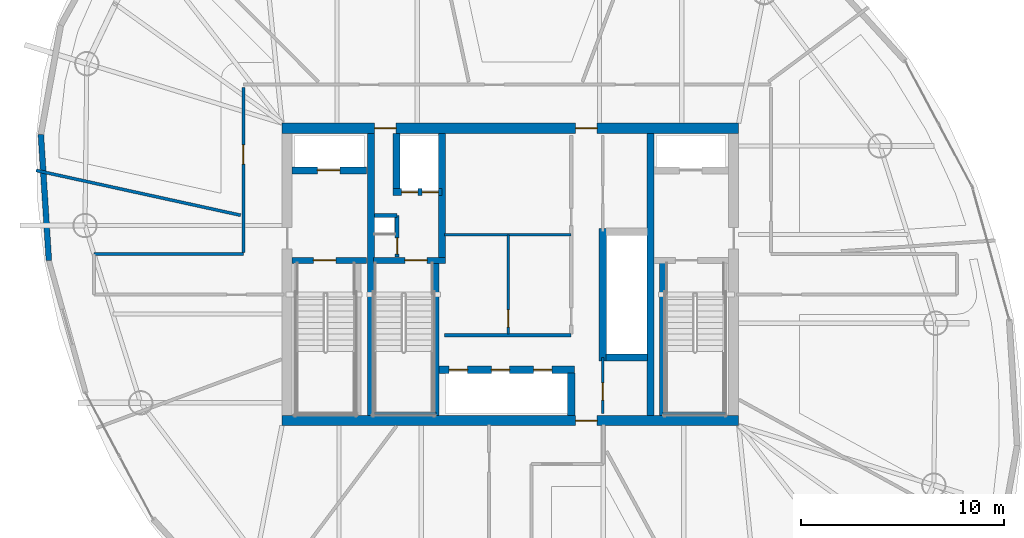
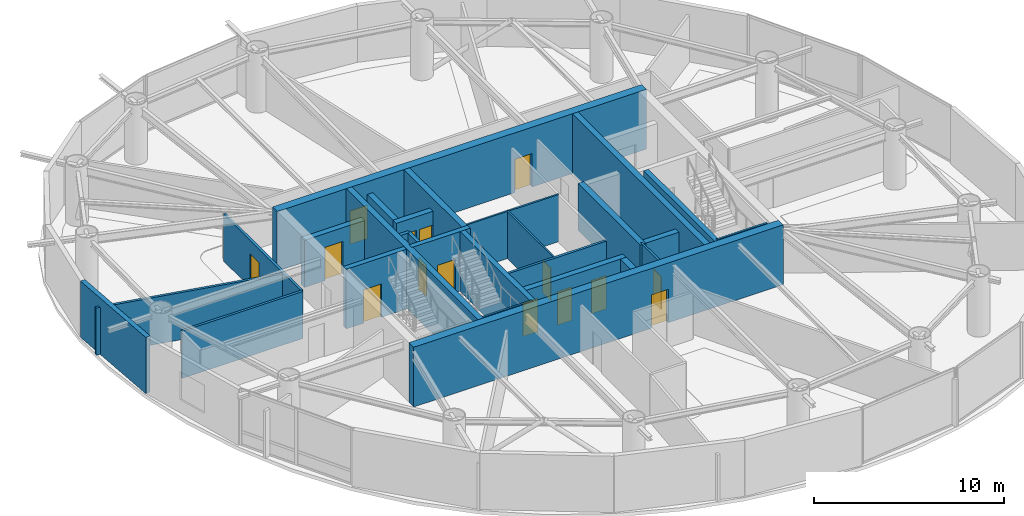
# One storey, part 17 of 22: 28 walls, 15 doors, 15 openings.
"""IFC4 building model written with IfcOpenShell, lengths in metres."""

from ifc_helpers import new_model, si_unit, direction, frame, frame_2d, origin, place, context, subcontext, project, spatial, rectangle, extrude, material, layer, layer_set, type_object, element, fill, save


model = new_model("IFC4")

# Units and contexts
model_context = context("Model", 3, precision=1e-05, world=origin(), true_north=direction((0.0, 1.0)))
body_context = subcontext(model_context, "Body", "Model", "MODEL_VIEW")
ifc_project = project(units=[si_unit("LENGTHUNIT", "METRE"), si_unit("AREAUNIT", "SQUARE_METRE"), si_unit("VOLUMEUNIT", "CUBIC_METRE"), si_unit("PLANEANGLEUNIT", "RADIAN"), si_unit("MASSUNIT", "GRAM", prefix="KILO")], contexts=[model_context])

# Site, building, storey
site_placement = place(None, origin())
site = spatial("IfcSite", under=ifc_project, at=site_placement, CompositionType="ELEMENT")
building_placement = place(site_placement, origin())
building = spatial("IfcBuilding", under=site, at=building_placement, Name="Bramvorn Convention Spire", CompositionType="ELEMENT")
storey_placement = place(building_placement, frame((0.0, 0.0, 190.449951171875)))
storey = spatial("IfcBuildingStorey", under=building, at=storey_placement, Name="L48", CompositionType="ELEMENT", Elevation=190.449951171875)

# Wall, opening, door
ifc_material_1 = material(Name="Concrete C50/60", Category="concrete")
ifc_layer_1 = layer(ifc_material_1, 0.5)
ifc_layer_set_1 = layer_set([ifc_layer_1], Name="Concrete C50/60 - WL-CORE-500")
wall_type_1 = type_object("IfcWallType", Name="WL-CORE-500", PredefinedType="SHEAR", material=ifc_layer_set_1)
wall_1_placement = place(storey_placement, frame((26.75, 18.800048828125, 0.0), z_axis=(0.0, 0.0, 1.0), x_axis=(1.0, 0.0, 0.0)))
wall_1 = element("IfcWall", 1, at=wall_1_placement, inside=storey, type_object=wall_type_1, Name="L48 South RC core shear wall", PredefinedType="SHEAR", context=body_context, shape_type="SweptSolid", body=[
    extrude(rectangle(XDim=22.5, YDim=0.5, at=frame_2d((11.25, 0.0))), origin(), (0.0, 0.0, 1.0), 3.85009765625),
])
opening_1_placement = place(wall_1_placement, frame((14.469970703125, 0.0, 0.0)))
opening_1 = element("IfcOpeningElement", 2, at=opening_1_placement, cuts=wall_1, Name="Opening DL-105", PredefinedType="OPENING", context=body_context, shape_type="SweptSolid", body=[
    extrude(rectangle(XDim=1.050048828125, YDim=2.14990234375, at=frame_2d((0.52490234375, 1.074951171875))), frame((0.0, 0.260009765625, 0.0), z_axis=(0.0, -1.0, 0.0), x_axis=(1.0, 0.0, 0.0)), (0.0, 0.0, 1.0), 0.52001953125),
])
ifc_material_2 = material(Name="Smoke-Sealed Fire Lobby Timber-Core Door", Category="wood")
door_type_1 = type_object("IfcDoorType", Name="DR-LOBBY-1050", OperationType="NOTDEFINED", PredefinedType="DOOR", material=ifc_material_2)
door_1_placement = place(opening_1_placement, origin())
door_1 = element("IfcDoor", 3, at=door_1_placement, inside=storey, type_object=door_type_1, Name="L48 South Lift Lobby fire door", OperationType="SINGLE_SWING_RIGHT", OverallHeight=2.14990234375, OverallWidth=1.050048828125, PredefinedType="DOOR", context=body_context, shape_type="SweptSolid", body=[
    extrude(rectangle(XDim=1.050048828125, YDim=2.14990234375, at=frame_2d((0.52490234375, 1.074951171875))), frame((0.0, 0.02490234375, 0.0), z_axis=(0.0, -1.0, 0.0), x_axis=(1.0, 0.0, 0.0)), (0.0, 0.0, 1.0), 0.050048828125),
])
fill(opening_1, door_1)

# Wall, openings, doors
wall_2_placement = place(storey_placement, frame((26.75, 33.199951171875, 0.0), z_axis=(0.0, 0.0, 1.0), x_axis=(1.0, 0.0, 0.0)))
wall_2 = element("IfcWall", 4, at=wall_2_placement, inside=storey, type_object=wall_type_1, Name="L48 North RC core shear wall", PredefinedType="SHEAR", context=body_context, shape_type="SweptSolid", body=[
    extrude(rectangle(XDim=22.5, YDim=0.5, at=frame_2d((11.25, 0.0))), origin(), (0.0, 0.0, 1.0), 3.85009765625),
])
opening_2_placement = place(wall_2_placement, frame((4.570068359375, 0.0, 0.0)))
opening_2 = element("IfcOpeningElement", 5, at=opening_2_placement, cuts=wall_2, Name="Opening DL-105", PredefinedType="OPENING", context=body_context, shape_type="SweptSolid", body=[
    extrude(rectangle(XDim=1.050048828125, YDim=2.14990234375, at=frame_2d((0.52490234375, 1.074951171875))), frame((0.0, 0.260009765625, 0.0), z_axis=(0.0, -1.0, 0.0), x_axis=(1.0, 0.0, 0.0)), (0.0, 0.0, 1.0), 0.52001953125),
])
opening_3_placement = place(wall_2_placement, frame((14.469970703125, 0.0, 0.0)))
opening_3 = element("IfcOpeningElement", 6, at=opening_3_placement, cuts=wall_2, Name="Opening DL-105", PredefinedType="OPENING", context=body_context, shape_type="SweptSolid", body=[
    extrude(rectangle(XDim=1.050048828125, YDim=2.14990234375, at=frame_2d((0.52490234375, 1.074951171875))), frame((0.0, 0.260009765625, 0.0), z_axis=(0.0, -1.0, 0.0), x_axis=(1.0, 0.0, 0.0)), (0.0, 0.0, 1.0), 0.52001953125),
])
door_2_placement = place(opening_2_placement, origin())
door_2 = element("IfcDoor", 7, at=door_2_placement, inside=storey, type_object=door_type_1, Name="L48 Service & Stair ST3 Lobby north corridor door", OperationType="SINGLE_SWING_LEFT", OverallHeight=2.14990234375, OverallWidth=1.050048828125, PredefinedType="DOOR", context=body_context, shape_type="SweptSolid", body=[
    extrude(rectangle(XDim=1.050048828125, YDim=2.14990234375, at=frame_2d((0.52490234375, 1.074951171875))), frame((0.0, 0.02490234375, 0.0), z_axis=(0.0, -1.0, 0.0), x_axis=(1.0, 0.0, 0.0)), (0.0, 0.0, 1.0), 0.050048828125),
])
fill(opening_2, door_2)
door_3_placement = place(opening_3_placement, origin())
door_3 = element("IfcDoor", 8, at=door_3_placement, inside=storey, type_object=door_type_1, Name="L48 North Lift Lobby fire door", OperationType="SINGLE_SWING_LEFT", OverallHeight=2.14990234375, OverallWidth=1.050048828125, PredefinedType="DOOR", context=body_context, shape_type="SweptSolid", body=[
    extrude(rectangle(XDim=1.050048828125, YDim=2.14990234375, at=frame_2d((0.52490234375, 1.074951171875))), frame((0.0, 0.02490234375, 0.0), z_axis=(0.0, -1.0, 0.0), x_axis=(1.0, 0.0, 0.0)), (0.0, 0.0, 1.0), 0.050048828125),
])
fill(opening_3, door_3)

# Walls
ifc_layer_2 = layer(ifc_material_1, 0.35009765625)
ifc_layer_set_2 = layer_set([ifc_layer_2], Name="Concrete C50/60 - WL-CORE-INT-350")
wall_type_2 = type_object("IfcWallType", Name="WL-CORE-INT-350", PredefinedType="SHEAR", material=ifc_layer_set_2)
for number, where, z_axis, x_axis, name in (
    (9, (31.1298828125, 19.050048828125, 0.0), (0.0, 0.0, 1.0), (0.0, 1.0, 0.0), "L48 West internal core shear web"),
    (10, (44.89990234375, 19.050048828125, 0.0), (0.0, 0.0, 1.0), (0.0, 1.0, 0.0), "L48 East internal core shear web"),
):
    element("IfcWall", number, at=place(storey_placement, frame(where, z_axis=z_axis, x_axis=x_axis)), inside=storey, type_object=wall_type_2, Name=name, PredefinedType="SHEAR", context=body_context, shape_type="SweptSolid", body=[
        extrude(rectangle(XDim=13.89990234375, YDim=0.35009765625, at=frame_2d((6.949951171875, 0.0))), origin(), (0.0, 0.0, 1.0), 3.85009765625),
    ])

# Wall, opening, door
wall_3_placement = place(storey_placement, frame((27.25, 31.1201171875, 0.0), z_axis=(0.0, 0.0, 1.0), x_axis=(1.0, 0.0, 0.0)))
wall_3 = element("IfcWall", 11, at=wall_3_placement, inside=storey, type_object=wall_type_2, Name="L48 FE1 shaft front wall", PredefinedType="SHEAR", context=body_context, shape_type="SweptSolid", body=[
    extrude(rectangle(XDim=3.669921875, YDim=0.35009765625, at=frame_2d((1.8349609375, 0.0))), origin(), (0.0, 0.0, 1.0), 3.03515625),
])
opening_4_placement = place(wall_3_placement, frame((1.25, 0.0, 0.0)))
opening_4 = element("IfcOpeningElement", 12, at=opening_4_placement, cuts=wall_3, Name="Opening LD-110", PredefinedType="OPENING", context=body_context, shape_type="SweptSolid", body=[
    extrude(rectangle(XDim=1.10009765625, YDim=2.14990234375, at=frame_2d((0.550048828125, 1.074951171875))), frame((0.0, 0.18505859375, 0.0), z_axis=(0.0, -1.0, 0.0), x_axis=(1.0, 0.0, 0.0)), (0.0, 0.0, 1.0), 0.3701171875),
])
ifc_material_3 = material(Name="Firefighting & Service Lift Sliding Landing Door", Category="steel")
door_type_2 = type_object("IfcDoorType", Name="DR-LIFT-LD-1100", OperationType="NOTDEFINED", PredefinedType="DOOR", material=ifc_material_3)
door_4_placement = place(opening_4_placement, origin())
door_4 = element("IfcDoor", 13, at=door_4_placement, inside=storey, type_object=door_type_2, Name="L48 Lift FE1 Sliding Landing Door", OperationType="SLIDING_TO_LEFT", OverallHeight=2.14990234375, OverallWidth=1.10009765625, PredefinedType="DOOR", context=body_context, shape_type="SweptSolid", body=[
    extrude(rectangle(XDim=1.10009765625, YDim=2.14990234375, at=frame_2d((0.550048828125, 1.074951171875))), frame((0.0, 0.02490234375, 0.0), z_axis=(0.0, -1.0, 0.0), x_axis=(1.0, 0.0, 0.0)), (0.0, 0.0, 1.0), 0.050048828125),
])
fill(opening_4, door_4)

# Wall
wall_4_placement = place(storey_placement, frame((34.639892578125, 26.68994140625, 0.0), z_axis=(0.0, 0.0, 1.0), x_axis=(0.0, 1.0, 0.0)))
element("IfcWall", 14, at=wall_4_placement, inside=storey, type_object=wall_type_2, Name="L48 SV east core shaft wall", PredefinedType="SHEAR", context=body_context, shape_type="SweptSolid", body=[
    extrude(rectangle(XDim=6.260009765625, YDim=0.35009765625, at=frame_2d((3.1298828125, 0.0))), origin(), (0.0, 0.0, 1.0), 3.85009765625),
])

# Wall, openings, doors
wall_5_placement = place(storey_placement, frame((32.22998046875, 30.050048828125, 0.0), z_axis=(0.0, 0.0, 1.0), x_axis=(1.0, 0.0, 0.0)))
wall_5 = element("IfcWall", 15, at=wall_5_placement, inside=storey, type_object=wall_type_2, Name="L48 SV1/SV2 shaft front wall", PredefinedType="SHEAR", context=body_context, shape_type="SweptSolid", body=[
    extrude(rectangle(XDim=2.409912109375, YDim=0.35009765625, at=frame_2d((1.205078125, 0.0))), origin(), (0.0, 0.0, 1.0), 3.03515625),
])
opening_5_placement = place(wall_5_placement, frame((0.419921875, 0.0, 0.0)))
opening_5 = element("IfcOpeningElement", 16, at=opening_5_placement, cuts=wall_5, Name="Opening LD-080", PredefinedType="OPENING", context=body_context, shape_type="SweptSolid", body=[
    extrude(rectangle(XDim=0.800048828125, YDim=2.14990234375, at=frame_2d((0.39990234375, 1.074951171875))), frame((0.0, 0.18505859375, 0.0), z_axis=(0.0, -1.0, 0.0), x_axis=(1.0, 0.0, 0.0)), (0.0, 0.0, 1.0), 0.3701171875),
])
opening_6_placement = place(wall_5_placement, frame((1.419921875, 0.0, 0.0)))
opening_6 = element("IfcOpeningElement", 17, at=opening_6_placement, cuts=wall_5, Name="Opening LD-080", PredefinedType="OPENING", context=body_context, shape_type="SweptSolid", body=[
    extrude(rectangle(XDim=0.800048828125, YDim=2.14990234375, at=frame_2d((0.39990234375, 1.074951171875))), frame((0.0, 0.18505859375, 0.0), z_axis=(0.0, -1.0, 0.0), x_axis=(1.0, 0.0, 0.0)), (0.0, 0.0, 1.0), 0.3701171875),
])
ifc_material_4 = material(Name="Service Lift Bi-Parting Landing Door", Category="steel")
door_type_3 = type_object("IfcDoorType", Name="DR-LIFT-LD-800", OperationType="NOTDEFINED", PredefinedType="DOOR", material=ifc_material_4)
door_5_placement = place(opening_5_placement, origin())
door_5 = element("IfcDoor", 18, at=door_5_placement, inside=storey, type_object=door_type_3, Name="L48 Lift SV1 Sliding Landing Door", OperationType="SLIDING_TO_LEFT", OverallHeight=2.14990234375, OverallWidth=0.800048828125, PredefinedType="DOOR", context=body_context, shape_type="SweptSolid", body=[
    extrude(rectangle(XDim=0.800048828125, YDim=2.14990234375, at=frame_2d((0.39990234375, 1.074951171875))), frame((0.0, 0.02490234375, 0.0), z_axis=(0.0, -1.0, 0.0), x_axis=(1.0, 0.0, 0.0)), (0.0, 0.0, 1.0), 0.050048828125),
])
fill(opening_5, door_5)
door_6_placement = place(opening_6_placement, origin())
door_6 = element("IfcDoor", 19, at=door_6_placement, inside=storey, type_object=door_type_3, Name="L48 Lift SV2 Sliding Landing Door", OperationType="SLIDING_TO_LEFT", OverallHeight=2.14990234375, OverallWidth=0.800048828125, PredefinedType="DOOR", context=body_context, shape_type="SweptSolid", body=[
    extrude(rectangle(XDim=0.800048828125, YDim=2.14990234375, at=frame_2d((0.39990234375, 1.074951171875))), frame((0.0, 0.02490234375, 0.0), z_axis=(0.0, -1.0, 0.0), x_axis=(1.0, 0.0, 0.0)), (0.0, 0.0, 1.0), 0.050048828125),
])
fill(opening_6, door_6)

# Walls
wall_6_placement = place(storey_placement, frame((32.39990234375, 30.219970703125, 0.0), z_axis=(0.0, 0.0, 1.0), x_axis=(0.0, 1.0, 0.0)))
element("IfcWall", 20, at=wall_6_placement, inside=storey, type_object=wall_type_2, Name="L48 SV1 west hoistway wall", PredefinedType="SHEAR", context=body_context, shape_type="SweptSolid", body=[
    extrude(rectangle(XDim=2.72998046875, YDim=0.35009765625, at=frame_2d((1.364990234375, 0.0))), origin(), (0.0, 0.0, 1.0), 3.03515625),
])
wall_7_placement = place(storey_placement, frame((42.550048828125, 21.72998046875, 0.0), z_axis=(0.0, 0.0, 1.0), x_axis=(0.0, 1.0, 0.0)))
element("IfcWall", 21, at=wall_7_placement, inside=storey, type_object=wall_type_2, Name="L48 High-rise lift bank west wall", PredefinedType="SHEAR", context=body_context, shape_type="SweptSolid", body=[
    extrude(rectangle(XDim=6.5400390625, YDim=0.35009765625, at=frame_2d((3.27001953125, 0.0))), origin(), (0.0, 0.0, 1.0), 3.03515625),
])
wall_8_placement = place(storey_placement, frame((42.719970703125, 21.89990234375, 0.0), z_axis=(0.0, 0.0, 1.0), x_axis=(1.0, 0.0, 0.0)))
element("IfcWall", 22, at=wall_8_placement, inside=storey, type_object=wall_type_2, Name="L48 High-rise lift bank south wall", PredefinedType="SHEAR", context=body_context, shape_type="SweptSolid", body=[
    extrude(rectangle(XDim=2.030029296875, YDim=0.35009765625, at=frame_2d((1.01513671875, 0.0))), origin(), (0.0, 0.0, 1.0), 3.03515625),
])

# Wall, openings, doors
wall_9_placement = place(storey_placement, frame((34.489990234375, 21.300048828125, 0.0), z_axis=(0.0, 0.0, 1.0), x_axis=(1.0, 0.0, 0.0)))
wall_9 = element("IfcWall", 23, at=wall_9_placement, inside=storey, type_object=wall_type_2, Name="L48 Mid-rise bank north landing wall", PredefinedType="SHEAR", context=body_context, shape_type="SweptSolid", body=[
    extrude(rectangle(XDim=6.679931640625, YDim=0.35009765625, at=frame_2d((3.33984375, 0.0))), origin(), (0.0, 0.0, 1.0), 3.03515625),
])
opening_7_placement = place(wall_9_placement, frame((0.5, 0.0, 0.0)))
opening_7 = element("IfcOpeningElement", 24, at=opening_7_placement, cuts=wall_9, Name="Opening LD-090", PredefinedType="OPENING", context=body_context, shape_type="SweptSolid", body=[
    extrude(rectangle(XDim=0.89990234375, YDim=2.14990234375, at=frame_2d((0.449951171875, 1.074951171875))), frame((0.0, 0.18505859375, 0.0), z_axis=(0.0, -1.0, 0.0), x_axis=(1.0, 0.0, 0.0)), (0.0, 0.0, 1.0), 0.3701171875),
])
opening_8_placement = place(wall_9_placement, frame((2.580078125, 0.0, 0.0)))
opening_8 = element("IfcOpeningElement", 25, at=opening_8_placement, cuts=wall_9, Name="Opening LD-090", PredefinedType="OPENING", context=body_context, shape_type="SweptSolid", body=[
    extrude(rectangle(XDim=0.89990234375, YDim=2.14990234375, at=frame_2d((0.449951171875, 1.074951171875))), frame((0.0, 0.18505859375, 0.0), z_axis=(0.0, -1.0, 0.0), x_axis=(1.0, 0.0, 0.0)), (0.0, 0.0, 1.0), 0.3701171875),
])
opening_9_placement = place(wall_9_placement, frame((4.659912109375, 0.0, 0.0)))
opening_9 = element("IfcOpeningElement", 26, at=opening_9_placement, cuts=wall_9, Name="Opening LD-090", PredefinedType="OPENING", context=body_context, shape_type="SweptSolid", body=[
    extrude(rectangle(XDim=0.89990234375, YDim=2.14990234375, at=frame_2d((0.449951171875, 1.074951171875))), frame((0.0, 0.18505859375, 0.0), z_axis=(0.0, -1.0, 0.0), x_axis=(1.0, 0.0, 0.0)), (0.0, 0.0, 1.0), 0.3701171875),
])
ifc_material_5 = material(Name="Bi-Parting Fire-Rated Lift Landing Door", Category="steel")
door_type_4 = type_object("IfcDoorType", Name="DR-LIFT-LD-900", OperationType="NOTDEFINED", PredefinedType="DOOR", material=ifc_material_5)
door_7_placement = place(opening_7_placement, origin())
door_7 = element("IfcDoor", 27, at=door_7_placement, inside=storey, type_object=door_type_4, Name="L48 Lift PM1 Sliding Landing Door", OperationType="SLIDING_TO_LEFT", OverallHeight=2.14990234375, OverallWidth=0.89990234375, PredefinedType="DOOR", context=body_context, shape_type="SweptSolid", body=[
    extrude(rectangle(XDim=0.89990234375, YDim=2.14990234375, at=frame_2d((0.449951171875, 1.074951171875))), frame((0.0, 0.02490234375, 0.0), z_axis=(0.0, -1.0, 0.0), x_axis=(1.0, 0.0, 0.0)), (0.0, 0.0, 1.0), 0.050048828125),
])
fill(opening_7, door_7)
door_8_placement = place(opening_8_placement, origin())
door_8 = element("IfcDoor", 28, at=door_8_placement, inside=storey, type_object=door_type_4, Name="L48 Lift PM2 Sliding Landing Door", OperationType="SLIDING_TO_LEFT", OverallHeight=2.14990234375, OverallWidth=0.89990234375, PredefinedType="DOOR", context=body_context, shape_type="SweptSolid", body=[
    extrude(rectangle(XDim=0.89990234375, YDim=2.14990234375, at=frame_2d((0.449951171875, 1.074951171875))), frame((0.0, 0.02490234375, 0.0), z_axis=(0.0, -1.0, 0.0), x_axis=(1.0, 0.0, 0.0)), (0.0, 0.0, 1.0), 0.050048828125),
])
fill(opening_8, door_8)
door_9_placement = place(opening_9_placement, origin())
door_9 = element("IfcDoor", 29, at=door_9_placement, inside=storey, type_object=door_type_4, Name="L48 Lift PM3 Sliding Landing Door", OperationType="SLIDING_TO_LEFT", OverallHeight=2.14990234375, OverallWidth=0.89990234375, PredefinedType="DOOR", context=body_context, shape_type="SweptSolid", body=[
    extrude(rectangle(XDim=0.89990234375, YDim=2.14990234375, at=frame_2d((0.449951171875, 1.074951171875))), frame((0.0, 0.02490234375, 0.0), z_axis=(0.0, -1.0, 0.0), x_axis=(1.0, 0.0, 0.0)), (0.0, 0.0, 1.0), 0.050048828125),
])
fill(opening_9, door_9)

# Walls
wall_10_placement = place(storey_placement, frame((41.0, 19.050048828125, 0.0), z_axis=(0.0, 0.0, 1.0), x_axis=(0.0, 1.0, 0.0)))
element("IfcWall", 30, at=wall_10_placement, inside=storey, type_object=wall_type_2, Name="L48 Mid-rise bank east cheek wall", PredefinedType="SHEAR", context=body_context, shape_type="SweptSolid", body=[
    extrude(rectangle(XDim=2.079833984375, YDim=0.35009765625, at=frame_2d((1.0400390625, 0.0))), origin(), (0.0, 0.0, 1.0), 3.03515625),
])
ifc_material_6 = material(Name="Precast Concrete C40/50 with Bronze Terracotta Rainscreen", Category="masonry")
ifc_layer_3 = layer(ifc_material_6, 0.300048828125)
ifc_layer_set_3 = layer_set([ifc_layer_3], Name="Precast Concrete C40/50 with Bronze Terracotta Rainscreen - WL-EXT-BRONZE-300")
wall_type_3 = type_object("IfcWallType", Name="WL-EXT-BRONZE-300", PredefinedType="SOLIDWALL", material=ifc_layer_set_3)
wall_11_placement = place(storey_placement, frame((15.267822265625, 26.683349609375, 0.0), z_axis=(0.0, 0.0, 1.0), x_axis=(-0.063166731374, 0.998002987995, 0.0)))
element("IfcWall", 31, at=wall_11_placement, inside=storey, type_object=wall_type_3, Name="L48 expressed bronze Gothic lancet pier wall 15", PredefinedType="SOLIDWALL", context=body_context, shape_type="SweptSolid", body=[
    extrude(rectangle(XDim=6.2265625, YDim=0.280029296875, at=frame_2d((3.11328125, 0.0))), origin(), (0.0, 0.0, 1.0), 3.6201171875),
])
ifc_material_7 = material(Name="Lightweight En-Suite & Wet-Wall Partition", Category="gypsum")
ifc_layer_4 = layer(ifc_material_7, 0.110107421875)
ifc_layer_set_4 = layer_set([ifc_layer_4], Name="Lightweight En-Suite & Wet-Wall Partition - WL-PART-110")
wall_type_4 = type_object("IfcWallType", Name="WL-PART-110", PredefinedType="PARTITIONING", material=ifc_layer_set_4)
wall_12_placement = place(storey_placement, frame((34.75, 27.949951171875, 0.0), z_axis=(0.0, 0.0, 1.0), x_axis=(1.0, 0.0, 0.0)))
element("IfcWall", 32, at=wall_12_placement, inside=storey, type_object=wall_type_4, Name="L48 KA horizontal core divider", PredefinedType="PARTITIONING", context=body_context, shape_type="SweptSolid", body=[
    extrude(rectangle(XDim=6.25, YDim=0.110107421875, at=frame_2d((3.125, 0.0))), origin(), (0.0, 0.0, 1.0), 3.03515625),
])

# Wall, opening, door
wall_13_placement = place(storey_placement, frame((37.89990234375, 23.050048828125, 0.0), z_axis=(0.0, 0.0, 1.0), x_axis=(0.0, 1.0, 0.0)))
wall_13 = element("IfcWall", 33, at=wall_13_placement, inside=storey, type_object=wall_type_4, Name="L48 KA restroom subwall", PredefinedType="PARTITIONING", context=body_context, shape_type="SweptSolid", body=[
    extrude(rectangle(XDim=4.89990234375, YDim=0.110107421875, at=frame_2d((2.449951171875, 0.0))), origin(), (0.0, 0.0, 1.0), 3.03515625),
])
opening_10_placement = place(wall_13_placement, frame((0.35009765625, 0.0, 0.0)))
opening_10 = element("IfcOpeningElement", 34, at=opening_10_placement, cuts=wall_13, Name="Opening DC-085", PredefinedType="OPENING", context=body_context, shape_type="SweptSolid", body=[
    extrude(rectangle(XDim=0.85009765625, YDim=2.10009765625, at=frame_2d((0.425048828125, 1.050048828125))), frame((0.0, 0.06494140625, 0.0), z_axis=(0.0, -1.0, 0.0), x_axis=(1.0, 0.0, 0.0)), (0.0, 0.0, 1.0), 0.130126953125),
])
ifc_material_8 = material(Name="Fire-Rated Core Washroom & IDF Door", Category="wood")
door_type_5 = type_object("IfcDoorType", Name="DR-CORE-850", OperationType="NOTDEFINED", PredefinedType="DOOR", material=ifc_material_8)
door_10_placement = place(opening_10_placement, origin())
door_10 = element("IfcDoor", 35, at=door_10_placement, inside=storey, type_object=door_type_5, Name="L48 Core IT Closet door", OperationType="SINGLE_SWING_LEFT", OverallHeight=2.10009765625, OverallWidth=0.85009765625, PredefinedType="DOOR", context=body_context, shape_type="SweptSolid", body=[
    extrude(rectangle(XDim=0.85009765625, YDim=2.10009765625, at=frame_2d((0.425048828125, 1.050048828125))), frame((0.0, 0.02490234375, 0.0), z_axis=(0.0, -1.0, 0.0), x_axis=(1.0, 0.0, 0.0)), (0.0, 0.0, 1.0), 0.050048828125),
])
fill(opening_10, door_10)

ifc_material_9 = material(Name="Metal-Stud Demountable Office Partition", Category="gypsum")
ifc_layer_5 = layer(ifc_material_9, 0.1298828125)
ifc_layer_set_5 = layer_set([ifc_layer_5], Name="Metal-Stud Demountable Office Partition - WL-PART-130")
wall_type_5 = type_object("IfcWallType", Name="WL-PART-130", PredefinedType="PARTITIONING", material=ifc_layer_set_5)
wall_14_placement = place(storey_placement, frame((42.550048828125, 19.14990234375, 0.0), z_axis=(0.0, 0.0, 1.0), x_axis=(0.0, 1.0, 0.0)))
wall_14 = element("IfcWall", 36, at=wall_14_placement, inside=storey, type_object=wall_type_5, Name="L48 KA SE store wall", PredefinedType="PARTITIONING", context=body_context, shape_type="SweptSolid", body=[
    extrude(rectangle(XDim=2.75, YDim=0.1298828125, at=frame_2d((1.375, 0.0))), origin(), (0.0, 0.0, 1.0), 3.03515625),
])
opening_11_placement = place(wall_14_placement, frame((0.64990234375, 0.0, 0.0)))
opening_11 = element("IfcOpeningElement", 37, at=opening_11_placement, cuts=wall_14, Name="Opening DC-085", PredefinedType="OPENING", context=body_context, shape_type="SweptSolid", body=[
    extrude(rectangle(XDim=0.85009765625, YDim=2.10009765625, at=frame_2d((0.425048828125, 1.050048828125))), frame((0.0, 0.074951171875, 0.0), z_axis=(0.0, -1.0, 0.0), x_axis=(1.0, 0.0, 0.0)), (0.0, 0.0, 1.0), 0.14990234375),
])
door_11_placement = place(opening_11_placement, origin())
door_11 = element("IfcDoor", 38, at=door_11_placement, inside=storey, type_object=door_type_5, Name="L48 Tenant Pantry & Copy Centre door", OperationType="SINGLE_SWING_LEFT", OverallHeight=2.10009765625, OverallWidth=0.85009765625, PredefinedType="DOOR", context=body_context, shape_type="SweptSolid", body=[
    extrude(rectangle(XDim=0.85009765625, YDim=2.10009765625, at=frame_2d((0.425048828125, 1.050048828125))), frame((0.0, 0.02490234375, 0.0), z_axis=(0.0, -1.0, 0.0), x_axis=(1.0, 0.0, 0.0)), (0.0, 0.0, 1.0), 0.050048828125),
])
fill(opening_11, door_11)

# Wall
ifc_material_10 = material(Name="Acoustic Metal-Stud Tenant/Corridor Partition", Category="gypsum")
ifc_layer_6 = layer(ifc_material_10, 0.14990234375)
ifc_layer_set_6 = layer_set([ifc_layer_6], Name="Acoustic Metal-Stud Tenant/Corridor Partition - WL-PART-150")
wall_type_6 = type_object("IfcWallType", Name="WL-PART-150", PredefinedType="PARTITIONING", material=ifc_layer_set_6)
wall_15_placement = place(storey_placement, frame((34.75, 23.0, 0.0), z_axis=(0.0, 0.0, 1.0), x_axis=(1.0, 0.0, 0.0)))
element("IfcWall", 39, at=wall_15_placement, inside=storey, type_object=wall_type_6, Name="L48 Mid-rise lift vestibule north wall", PredefinedType="PARTITIONING", context=body_context, shape_type="SweptSolid", body=[
    extrude(rectangle(XDim=6.25, YDim=0.14990234375, at=frame_2d((3.125, 0.0))), origin(), (0.0, 0.0, 1.0), 3.03515625),
])

# Wall, opening, door
wall_16_placement = place(storey_placement, frame((24.85009765625, 27.080078125, 0.0), z_axis=(0.0, 0.0, 1.0), x_axis=(0.0, 1.0, 0.0)))
wall_16 = element("IfcWall", 40, at=wall_16_placement, inside=storey, type_object=wall_type_6, Name="L48 NW gallery cheek", PredefinedType="PARTITIONING", context=body_context, shape_type="SweptSolid", body=[
    extrude(rectangle(XDim=8.119873046875, YDim=0.14990234375, at=frame_2d((4.06005859375, 0.0))), origin(), (0.0, 0.0, 1.0), 3.03515625),
])
opening_12_placement = place(wall_16_placement, frame((4.35107421875, 0.0, 0.0)))
opening_12 = element("IfcOpeningElement", 41, at=opening_12_placement, cuts=wall_16, Name="Opening DH-095", PredefinedType="OPENING", context=body_context, shape_type="SweptSolid", body=[
    extrude(rectangle(XDim=0.949951171875, YDim=2.14990234375, at=frame_2d((0.47509765625, 1.074951171875))), frame((0.0, 0.0849609375, 0.0), z_axis=(0.0, -1.0, 0.0), x_axis=(1.0, 0.0, 0.0)), (0.0, 0.0, 1.0), 0.169921875),
])
ifc_material_11 = material(Name="Solid-Core Acoustic Guestroom Entry Door", Category="wood")
door_type_6 = type_object("IfcDoorType", Name="DR-HOTEL-950", OperationType="NOTDEFINED", PredefinedType="DOOR", material=ifc_material_11)
door_12_placement = place(opening_12_placement, origin())
door_12 = element("IfcDoor", 42, at=door_12_placement, inside=storey, type_object=door_type_6, Name="L48 Partner Private Office 2 5 door", OperationType="SINGLE_SWING_RIGHT", OverallHeight=2.14990234375, OverallWidth=0.949951171875, PredefinedType="DOOR", context=body_context, shape_type="SweptSolid", body=[
    extrude(rectangle(XDim=0.949951171875, YDim=2.14990234375, at=frame_2d((0.47509765625, 1.074951171875))), frame((0.0, 0.02490234375, 0.0), z_axis=(0.0, -1.0, 0.0), x_axis=(1.0, 0.0, 0.0)), (0.0, 0.0, 1.0), 0.050048828125),
])
fill(opening_12, door_12)

# Walls
wall_17_placement = place(storey_placement, frame((17.49169921875, 27.0, 0.0), z_axis=(0.0, 0.0, 1.0), x_axis=(1.0, 0.0, 0.0)))
element("IfcWall", 43, at=wall_17_placement, inside=storey, type_object=wall_type_6, Name="L48 West wing spine north wall", PredefinedType="PARTITIONING", context=body_context, shape_type="SweptSolid", body=[
    extrude(rectangle(XDim=7.3583984375, YDim=0.14990234375, at=frame_2d((3.67919921875, 0.0))), origin(), (0.0, 0.0, 1.0), 3.03515625),
])
wall_18_placement = place(storey_placement, frame((24.7099609375, 28.9130859375, 0.0), z_axis=(0.0, 0.0, 1.0), x_axis=(-0.97680395447, 0.214135551772, 0.0)))
element("IfcWall", 44, at=wall_18_placement, inside=storey, type_object=wall_type_6, Name="L48 Tenant suite partition 6", PredefinedType="PARTITIONING", context=body_context, shape_type="SweptSolid", body=[
    extrude(rectangle(XDim=10.306640625, YDim=0.14990234375, at=frame_2d((5.1533203125, 0.0))), origin(), (0.0, 0.0, 1.0), 3.03515625),
])

# Wall, opening, door
ifc_material_12 = material(Name="Gypsum Shaftwall & Rockwool Core Partition", Category="gypsum")
ifc_layer_7 = layer(ifc_material_12, 0.199951171875)
ifc_layer_set_7 = layer_set([ifc_layer_7], Name="Gypsum Shaftwall & Rockwool Core Partition - WL-PART-200-FR")
wall_type_7 = type_object("IfcWallType", Name="WL-PART-200-FR", PredefinedType="PARTITIONING", material=ifc_layer_set_7)
wall_19_placement = place(storey_placement, frame((32.419921875, 26.860107421875, 0.0), z_axis=(0.0, 0.0, 1.0), x_axis=(0.0, 1.0, 0.0)))
wall_19 = element("IfcWall", 45, at=wall_19_placement, inside=storey, type_object=wall_type_7, Name="L48 Telecom riser east wall", PredefinedType="PARTITIONING", context=body_context, shape_type="SweptSolid", body=[
    extrude(rectangle(XDim=2.039794921875, YDim=0.199951171875, at=frame_2d((1.02001953125, 0.0))), origin(), (0.0, 0.0, 1.0), 3.03515625),
])
opening_13_placement = place(wall_19_placement, frame((0.139892578125, 0.0, 0.0)))
opening_13 = element("IfcOpeningElement", 46, at=opening_13_placement, cuts=wall_19, Name="Opening DR-080", PredefinedType="OPENING", context=body_context, shape_type="SweptSolid", body=[
    extrude(rectangle(XDim=0.800048828125, YDim=2.050048828125, at=frame_2d((0.39990234375, 1.02490234375))), frame((0.0, 0.10986328125, 0.0), z_axis=(0.0, -1.0, 0.0), x_axis=(1.0, 0.0, 0.0)), (0.0, 0.0, 1.0), 0.219970703125),
])
ifc_material_13 = material(Name="Flush Steel Riser Access Door", Category="steel")
door_type_7 = type_object("IfcDoorType", Name="DR-RISER-800", OperationType="NOTDEFINED", PredefinedType="DOOR", material=ifc_material_13)
door_13_placement = place(opening_13_placement, origin())
door_13 = element("IfcDoor", 47, at=door_13_placement, inside=storey, type_object=door_type_7, Name="L48 Telecom riser access door", OperationType="SINGLE_SWING_RIGHT", OverallHeight=2.050048828125, OverallWidth=0.800048828125, PredefinedType="DOOR", context=body_context, shape_type="SweptSolid", body=[
    extrude(rectangle(XDim=0.800048828125, YDim=2.050048828125, at=frame_2d((0.39990234375, 1.02490234375))), frame((0.0, 0.02490234375, 0.0), z_axis=(0.0, -1.0, 0.0), x_axis=(1.0, 0.0, 0.0)), (0.0, 0.0, 1.0), 0.050048828125),
])
fill(opening_13, door_13)

# Wall
wall_20_placement = place(storey_placement, frame((31.300048828125, 28.89990234375, 0.0), z_axis=(0.0, 0.0, 1.0), x_axis=(1.0, 0.0, 0.0)))
element("IfcWall", 48, at=wall_20_placement, inside=storey, type_object=wall_type_7, Name="L48 Telecom riser north wall", PredefinedType="PARTITIONING", context=body_context, shape_type="SweptSolid", body=[
    extrude(rectangle(XDim=1.119873046875, YDim=0.199951171875, at=frame_2d((0.56005859375, 0.0))), origin(), (0.0, 0.0, 1.0), 3.03515625),
])

# Wall, opening, door
ifc_layer_8 = layer(ifc_material_1, 0.300048828125)
ifc_layer_set_8 = layer_set([ifc_layer_8], Name="Concrete C50/60 - WL-POD-STAIR-300")
wall_type_8 = type_object("IfcWallType", Name="WL-POD-STAIR-300", PredefinedType="SHEAR", material=ifc_layer_set_8)
wall_21_placement = place(storey_placement, frame((27.25, 26.68994140625, 0.0), z_axis=(0.0, 0.0, 1.0), x_axis=(1.0, 0.0, 0.0)))
wall_21 = element("IfcWall", 49, at=wall_21_placement, inside=storey, type_object=wall_type_8, Name="L48 ST1 north fire wall", PredefinedType="SHEAR", context=body_context, shape_type="SweptSolid", body=[
    extrude(rectangle(XDim=3.669921875, YDim=0.300048828125, at=frame_2d((1.8349609375, 0.0))), origin(), (0.0, 0.0, 1.0), 3.85009765625),
])
opening_14_placement = place(wall_21_placement, frame((1.050048828125, 0.0, 0.0)))
opening_14 = element("IfcOpeningElement", 50, at=opening_14_placement, cuts=wall_21, Name="Opening DS-110", PredefinedType="OPENING", context=body_context, shape_type="SweptSolid", body=[
    extrude(rectangle(XDim=1.10009765625, YDim=2.14990234375, at=frame_2d((0.550048828125, 1.074951171875))), frame((0.0, 0.159912109375, 0.0), z_axis=(0.0, -1.0, 0.0), x_axis=(1.0, 0.0, 0.0)), (0.0, 0.0, 1.0), 0.320068359375),
])
ifc_material_14 = material(Name="Fire-Rated Hollow Steel Stairwell Door", Category="steel")
door_type_8 = type_object("IfcDoorType", Name="DR-STAIR-1100", OperationType="NOTDEFINED", PredefinedType="DOOR", material=ifc_material_14)
door_14_placement = place(opening_14_placement, origin())
door_14 = element("IfcDoor", 51, at=door_14_placement, inside=storey, type_object=door_type_8, Name="L48 Stair ST1 fire door", OperationType="SINGLE_SWING_LEFT", OverallHeight=2.14990234375, OverallWidth=1.10009765625, PredefinedType="DOOR", context=body_context, shape_type="SweptSolid", body=[
    extrude(rectangle(XDim=1.10009765625, YDim=2.14990234375, at=frame_2d((0.550048828125, 1.074951171875))), frame((0.0, 0.02490234375, 0.0), z_axis=(0.0, -1.0, 0.0), x_axis=(1.0, 0.0, 0.0)), (0.0, 0.0, 1.0), 0.050048828125),
])
fill(opening_14, door_14)

# Walls
for number, where, z_axis, x_axis, name in (
    (52, (45.510009765625, 19.050048828125, 0.0), (0.0, 0.0, 1.0), (0.0, 1.0, 0.0), "L48 ST2 west bearing wall"),
    (53, (34.340087890625, 19.050048828125, 0.0), (0.0, 0.0, 1.0), (0.0, 1.0, 0.0), "L48 ST3 east bearing wall"),
):
    element("IfcWall", number, at=place(storey_placement, frame(where, z_axis=z_axis, x_axis=x_axis)), inside=storey, type_object=wall_type_8, Name=name, PredefinedType="SHEAR", context=body_context, shape_type="SweptSolid", body=[
        extrude(rectangle(XDim=7.5, YDim=0.300048828125, at=frame_2d((3.75, 0.0))), origin(), (0.0, 0.0, 1.0), 3.85009765625),
    ])

# Wall, opening, door
wall_22_placement = place(storey_placement, frame((31.25, 26.68994140625, 0.0), z_axis=(0.0, 0.0, 1.0), x_axis=(1.0, 0.0, 0.0)))
wall_22 = element("IfcWall", 54, at=wall_22_placement, inside=storey, type_object=wall_type_8, Name="L48 ST3 north lobby wall", PredefinedType="SHEAR", context=body_context, shape_type="SweptSolid", body=[
    extrude(rectangle(XDim=3.56005859375, YDim=0.300048828125, at=frame_2d((1.780029296875, 0.0))), origin(), (0.0, 0.0, 1.0), 3.85009765625),
])
opening_15_placement = place(wall_22_placement, frame((1.550048828125, 0.0, 0.0)))
opening_15 = element("IfcOpeningElement", 55, at=opening_15_placement, cuts=wall_22, Name="Opening DS-110", PredefinedType="OPENING", context=body_context, shape_type="SweptSolid", body=[
    extrude(rectangle(XDim=1.10009765625, YDim=2.14990234375, at=frame_2d((0.550048828125, 1.074951171875))), frame((0.0, 0.159912109375, 0.0), z_axis=(0.0, -1.0, 0.0), x_axis=(1.0, 0.0, 0.0)), (0.0, 0.0, 1.0), 0.320068359375),
])
door_15_placement = place(opening_15_placement, origin())
door_15 = element("IfcDoor", 56, at=door_15_placement, inside=storey, type_object=door_type_8, Name="L48 Stair ST3 fire door", OperationType="SINGLE_SWING_LEFT", OverallHeight=2.14990234375, OverallWidth=1.10009765625, PredefinedType="DOOR", context=body_context, shape_type="SweptSolid", body=[
    extrude(rectangle(XDim=1.10009765625, YDim=2.14990234375, at=frame_2d((0.550048828125, 1.074951171875))), frame((0.0, 0.02490234375, 0.0), z_axis=(0.0, -1.0, 0.0), x_axis=(1.0, 0.0, 0.0)), (0.0, 0.0, 1.0), 0.050048828125),
])
fill(opening_15, door_15)

# Walls
ifc_layer_9 = layer(ifc_material_1, 0.1201171875)
ifc_layer_set_9 = layer_set([ifc_layer_9], Name="Concrete C50/60 - WL-STAIR-RC-120")
wall_type_9 = type_object("IfcWallType", Name="WL-STAIR-RC-120", PredefinedType="SHEAR", material=ifc_layer_set_9)
wall_23_placement = place(storey_placement, frame((45.510009765625, 19.159912109375, 0.0), z_axis=(0.0, 0.0, 1.0), x_axis=(1.0, 0.0, 0.0)))
element("IfcWall", 57, at=wall_23_placement, inside=storey, type_object=wall_type_9, Name="L48 ST2 south bearing shear wall", PredefinedType="SHEAR", context=body_context, shape_type="SweptSolid", body=[
    extrude(rectangle(XDim=3.094970703125, YDim=0.1201171875, at=frame_2d((1.54736328125, 0.0))), origin(), (0.0, 0.0, 1.0), 3.85009765625),
])
wall_24_placement = place(storey_placement, frame((31.300048828125, 19.159912109375, 0.0), z_axis=(0.0, 0.0, 1.0), x_axis=(1.0, 0.0, 0.0)))
element("IfcWall", 58, at=wall_24_placement, inside=storey, type_object=wall_type_9, Name="L48 ST3 south bearing shear wall", PredefinedType="SHEAR", context=body_context, shape_type="SweptSolid", body=[
    extrude(rectangle(XDim=3.0400390625, YDim=0.1201171875, at=frame_2d((1.52001953125, 0.0))), origin(), (0.0, 0.0, 1.0), 3.85009765625),
])

save(model, "model.ifc")
